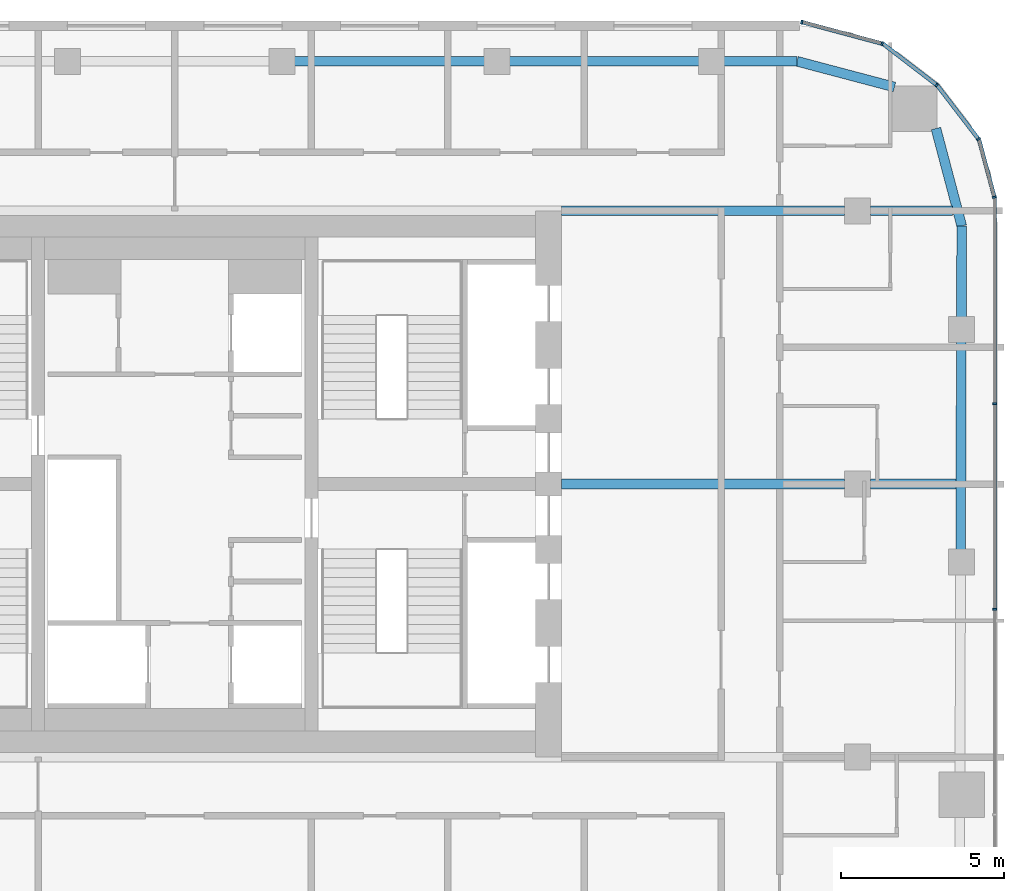
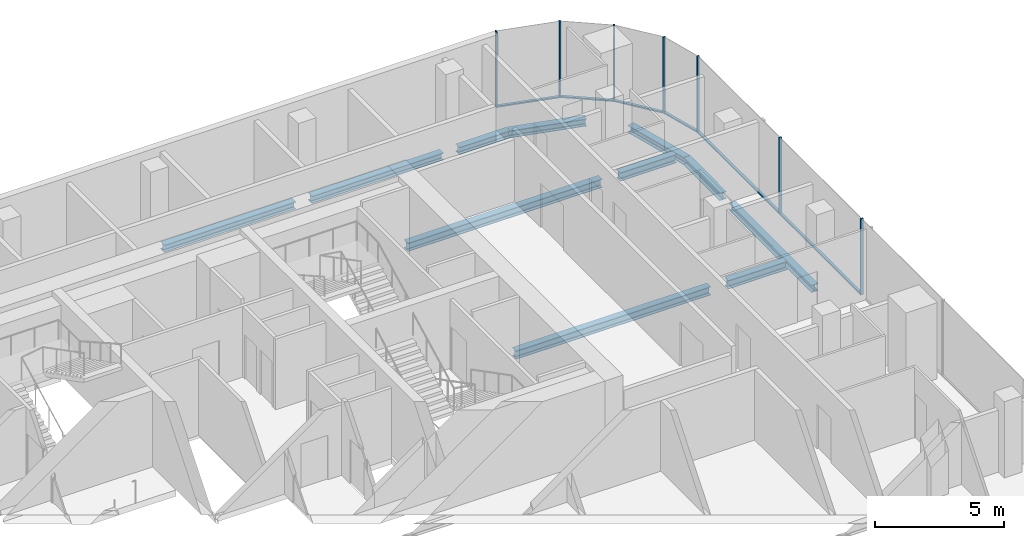
# One storey, part 11 of 22: 13 members, 11 beams, 5 elements without a shape of their own.
"""IFC4 building model written with IfcOpenShell, lengths in metres."""

import ifcopenshell
import ifcopenshell.guid

model = None  # the IFC model being written
_history = None  # IfcOwnerHistory: only IFC2X3 demands one
_inside = {}  # id of a spatial element -> (the spatial element, [elements in it])
_under = {}  # id of a project, library or spatial element -> (it, [spatial elements below it])
_declared = {}  # id of a project -> (the project, [libraries it declares])
_typed = {}  # id of a type object -> (the type object, [elements of that type])
_made_of = {}  # id of a material, layer set ... -> (it, [elements and type objects made of it])


def new_model(schema):
    """Start an empty IFC model of exactly this schema.

    Asked for "IFC4X3", IfcOpenShell would pick the latest addendum, in which some entities
    have other attributes; the version numbers below select the first issue.
    IFC2X3 requires an IfcOwnerHistory on every rooted entity: one is made here for all.
    """
    global model, _history
    if schema == "IFC4X3":
        model = ifcopenshell.file(schema_version=(4, 3, 0, 0))
    else:
        model = ifcopenshell.file(schema=schema)
    _inside.clear()
    _under.clear()
    _declared.clear()
    _typed.clear()
    _made_of.clear()
    _history = None
    if model.schema == "IFC2X3":
        org = make("IfcOrganization", Name="unknown")
        user = make(
            "IfcPersonAndOrganization",
            ThePerson=make("IfcPerson", FamilyName="unknown"),
            TheOrganization=org,
        )
        app = make(
            "IfcApplication",
            ApplicationDeveloper=org,
            Version="unknown",
            ApplicationFullName="unknown",
            ApplicationIdentifier="unknown",
        )
        _history = make(
            "IfcOwnerHistory",
            OwningUser=user,
            OwningApplication=app,
            ChangeAction="ADDED",
            CreationDate=0,
        )
    return model


def make(cls, **values):
    """One entity of the class cls with the attributes given. An attribute that is None is left unset."""
    return model.create_entity(
        cls, **{name: value for name, value in values.items() if value is not None}
    )


def rooted(cls, **values):
    """An entity with a GlobalId (a new one), such as an element, a storey or a relation."""
    return make(cls, GlobalId=ifcopenshell.guid.new(), OwnerHistory=_history, **values)


def si_unit(unit_type, name, prefix=None):
    """IfcSIUnit, for example si_unit("LENGTHUNIT", "METRE", prefix="MILLI")."""
    return make("IfcSIUnit", UnitType=unit_type, Prefix=prefix, Name=name)


def assignment(units):
    """IfcUnitAssignment: the units of a project."""
    return None if units is None else make("IfcUnitAssignment", Units=units)


def point(xyz):
    """IfcCartesianPoint."""
    return None if xyz is None else make("IfcCartesianPoint", Coordinates=xyz)


def direction(xyz):
    """IfcDirection."""
    return None if xyz is None else make("IfcDirection", DirectionRatios=xyz)


def frame(location, z_axis=None, x_axis=None):
    """IfcAxis2Placement3D, a coordinate frame: its origin and axes. An axis left out is left unset."""
    return make(
        "IfcAxis2Placement3D",
        Location=point(location),
        Axis=direction(z_axis),
        RefDirection=direction(x_axis),
    )


def frame_2d(location, x_axis=None):
    """IfcAxis2Placement2D, a coordinate frame in the plane: its origin and x axis."""
    return make(
        "IfcAxis2Placement2D", Location=point(location), RefDirection=direction(x_axis)
    )


def origin():
    """The frame at (0, 0, 0) with its axes left unset."""
    return frame((0.0, 0.0, 0.0))


def origin_2d():
    """The frame at (0, 0) in the plane with its x axis left unset."""
    return frame_2d((0.0, 0.0))


def place(relative_to, where):
    """IfcLocalPlacement: puts the frame where relative to a parent placement (None: the world)."""
    return make(
        "IfcLocalPlacement", PlacementRelTo=relative_to, RelativePlacement=where
    )


def context(
    kind, dimensions, precision=None, world=None, true_north=None, identifier=None
):
    """IfcGeometricRepresentationContext, for example the 3D "Model" context."""
    return make(
        "IfcGeometricRepresentationContext",
        ContextIdentifier=identifier,
        ContextType=kind,
        CoordinateSpaceDimension=dimensions,
        Precision=precision,
        WorldCoordinateSystem=world,
        TrueNorth=true_north,
    )


def subcontext(parent, identifier, kind, view, scale=None):
    """IfcGeometricRepresentationSubContext, for example "Body" below "Model"."""
    return make(
        "IfcGeometricRepresentationSubContext",
        ContextIdentifier=identifier,
        ContextType=kind,
        ParentContext=parent,
        TargetScale=scale,
        TargetView=view,
    )


def project(units=None, contexts=None):
    """IfcProject with its units and contexts."""
    return rooted(
        "IfcProject",
        Name="project",
        RepresentationContexts=contexts,
        UnitsInContext=assignment(units),
    )


def spatial(cls, under=None, at=None, **own):
    """A site, building, storey or space (cls), placed at a placement, below another one or the project."""
    s = rooted(cls, ObjectPlacement=at, **own)
    if under is not None:
        _under.setdefault(under.id(), (under, []))[1].append(s)
    return s


def profile(cls, at=None, kind="AREA", **sizes):
    """A parametric profile (cls). Its sizes go by their IFC names, for example OverallWidth=200.0."""
    return make(cls, ProfileType=kind, Position=at, **sizes)


def rectangle(**sizes):
    """IfcRectangleProfileDef."""
    return profile("IfcRectangleProfileDef", **sizes)


def i_section(**sizes):
    """IfcIShapeProfileDef."""
    return profile("IfcIShapeProfileDef", **sizes)


def extrude(swept, where, along, depth):
    """IfcExtrudedAreaSolid: the profile swept, set in the frame where, extruded along a direction by depth."""
    return make(
        "IfcExtrudedAreaSolid",
        SweptArea=swept,
        Position=where,
        ExtrudedDirection=direction(along),
        Depth=depth,
    )


def shape(context_of_items, identifier, shape_type, items):
    """IfcShapeRepresentation: the items that make up one representation, for example the "Body"."""
    return make(
        "IfcShapeRepresentation",
        ContextOfItems=context_of_items,
        RepresentationIdentifier=identifier,
        RepresentationType=shape_type,
        Items=items,
    )


def material(Name=None, Category=None):
    """IfcMaterial."""
    return make("IfcMaterial", Name=Name, Category=Category)


def layer(
    of_material, thickness, ventilated=None, Name=None, Category=None, Priority=None
):
    """IfcMaterialLayer: one layer of a wall or slab, of a material (None: an air gap)."""
    return make(
        "IfcMaterialLayer",
        Material=of_material,
        LayerThickness=thickness,
        IsVentilated=ventilated,
        Name=Name,
        Category=Category,
        Priority=Priority,
    )


def layer_set(layers, Name=None):
    """IfcMaterialLayerSet."""
    return make("IfcMaterialLayerSet", MaterialLayers=layers, LayerSetName=Name)


def material_profile(
    of_material, cross_section, Name=None, Category=None, Priority=None
):
    """IfcMaterialProfile: a cross section and its material."""
    return make(
        "IfcMaterialProfile",
        Name=Name,
        Material=of_material,
        Profile=cross_section,
        Priority=Priority,
        Category=Category,
    )


def profile_set(profiles, Name=None, composite=None):
    """IfcMaterialProfileSet."""
    return make(
        "IfcMaterialProfileSet",
        Name=Name,
        MaterialProfiles=profiles,
        CompositeProfile=composite,
    )


def made_of(thing, what):
    """Note that an element or type object is made of a material, layer set ...; save() writes the relation."""
    if what is not None:
        _made_of.setdefault(what.id(), (what, []))[1].append(thing)
    return thing


def type_object(cls, material=None, **own):
    """A type object (cls), such as IfcWallType, which elements share."""
    return made_of(rooted(cls, **own), material)


def element(
    cls,
    number,
    at=None,
    inside=None,
    cuts=None,
    type_object=None,
    material=None,
    context=None,
    identifier="Body",
    shape_type=None,
    held_by="IfcProductDefinitionShape",
    body=None,
    shapes=None,
    **own,
):
    """One element of the class cls, such as IfcWall. Its Tag is "e" and its number.

    at: its placement. inside: the storey or other place that contains it. cuts: it is an
    opening in that element (IfcRelVoidsElement). A single representation is given by context,
    identifier, shape_type and body (its items); several are given by shapes. held_by: the class
    of the entity that holds the representations. save() writes the other relations.
    """
    e = rooted(cls, Tag="e%d" % number, ObjectPlacement=at, **own)
    if body is not None:
        shapes = [shape(context, identifier, shape_type, body)]
    if shapes is not None:
        e.Representation = make(held_by, Representations=shapes)
    if inside is not None:
        _inside.setdefault(inside.id(), (inside, []))[1].append(e)
    if cuts is not None:
        rooted(
            "IfcRelVoidsElement", RelatingBuildingElement=cuts, RelatedOpeningElement=e
        )
    if type_object is not None:
        _typed.setdefault(type_object.id(), (type_object, []))[1].append(e)
    return made_of(e, material)


def aggregate(whole, parts):
    """IfcRelAggregates: a whole, such as a stair, and the parts it consists of."""
    return rooted("IfcRelAggregates", RelatingObject=whole, RelatedObjects=parts)


def save(model, path):
    """Write the relations noted so far, then the file.

    IfcRelAggregates (storeys below a building ...), IfcRelContainedInSpatialStructure (elements
    in a storey), IfcRelDefinesByType, IfcRelAssociatesMaterial and IfcRelDeclares: one each for
    every whole, place, type object, material and project.
    """
    for whole, parts in _under.values():
        aggregate(whole, parts)
    for where, things in _inside.values():
        rooted(
            "IfcRelContainedInSpatialStructure",
            RelatedElements=things,
            RelatingStructure=where,
        )
    for kind, things in _typed.values():
        rooted("IfcRelDefinesByType", RelatedObjects=things, RelatingType=kind)
    for what, things in _made_of.values():
        rooted("IfcRelAssociatesMaterial", RelatedObjects=things, RelatingMaterial=what)
    for by, libraries in _declared.values():
        rooted("IfcRelDeclares", RelatingContext=by, RelatedDefinitions=libraries)
    model.write(path)


model = new_model("IFC4")

# Units and contexts
model_context = context("Model", 3, precision=1e-05, world=origin(), true_north=direction((0.0, 1.0)))
body_context = subcontext(model_context, "Body", "Model", "MODEL_VIEW")
ifc_project = project(units=[si_unit("LENGTHUNIT", "METRE"), si_unit("AREAUNIT", "SQUARE_METRE"), si_unit("VOLUMEUNIT", "CUBIC_METRE"), si_unit("PLANEANGLEUNIT", "RADIAN"), si_unit("MASSUNIT", "GRAM", prefix="KILO")], contexts=[model_context])

# Site, building, storey
site_placement = place(None, origin())
site = spatial("IfcSite", under=ifc_project, at=site_placement, CompositionType="ELEMENT")
building_placement = place(site_placement, origin())
building = spatial("IfcBuilding", under=site, at=building_placement, Name="Marenta Gate Hotel Tower", CompositionType="ELEMENT")
storey_placement = place(building_placement, frame((0.0, 0.0, 238.10009765625)))
storey = spatial("IfcBuildingStorey", under=building, at=storey_placement, Name="L56", CompositionType="ELEMENT", Elevation=238.10009765625)

# Beams
ifc_material_1 = material(Name="Steel S355", Category="steel")
ifc_material_profile_1 = material_profile(ifc_material_1, i_section(OverallWidth=0.300048828125, OverallDepth=0.340087890625, WebThickness=0.011962890625, FlangeThickness=0.021484375, FilletRadius=0.027099609375, at=origin_2d()), Name="HEB 340")
ifc_profile_set_1 = profile_set([ifc_material_profile_1], Name="Steel S355")
beam_type_1 = type_object("IfcBeamType", Name="Edge beam HEB 340", PredefinedType="SPANDREL", material=ifc_profile_set_1)
for number, where, z_axis, x_axis, name in (
    (1, (3.661376953125, 21.39990234375, -0.43017578125), (1.0, 0.0, 0.0), (0.0, 1.0, 0.0), "L56-EB-17"),
    (2, (10.26416015625, 21.39990234375, -0.43017578125), (1.0, 0.0, 0.0), (0.0, 1.0, 0.0), "L56-EB-18"),
):
    element("IfcBeam", number, at=place(storey_placement, frame(where, z_axis=z_axis, x_axis=x_axis)), inside=storey, type_object=beam_type_1, Name=name, PredefinedType="SPANDREL", context=body_context, shape_type="SweptSolid", body=[
        extrude(i_section(OverallWidth=0.300048828125, OverallDepth=0.340087890625, WebThickness=0.011962890625, FlangeThickness=0.021484375, FilletRadius=0.027099609375, at=origin_2d()), origin(), (0.0, 0.0, 1.0), 5.8828125),
    ])
beam_1_placement = place(storey_placement, frame((16.866943359375, 21.39990234375, -0.43017578125), z_axis=(1.0, 0.0, 0.0), x_axis=(0.0, 1.0, 0.0)))
element("IfcBeam", 3, at=beam_1_placement, inside=storey, type_object=beam_type_1, Name="L56-EB-19", PredefinedType="SPANDREL", context=body_context, shape_type="SweptSolid", body=[
    extrude(i_section(OverallWidth=0.300048828125, OverallDepth=0.340087890625, WebThickness=0.011962890625, FlangeThickness=0.021484375, FilletRadius=0.027099609375, at=origin_2d()), origin(), (0.0, 0.0, 1.0), 2.267578125),
])
beam_2_placement = place(storey_placement, frame((19.134521484375, 21.39990234375, -0.43017578125), z_axis=(0.9667647815, -0.25566747398, 0.0), x_axis=(0.25566747398, 0.9667647815, 0.0)))
element("IfcBeam", 4, at=beam_2_placement, inside=storey, type_object=beam_type_1, Name="L56-EB-20", PredefinedType="SPANDREL", context=body_context, shape_type="SweptSolid", body=[
    extrude(i_section(OverallWidth=0.300048828125, OverallDepth=0.340087890625, WebThickness=0.011962890625, FlangeThickness=0.021484375, FilletRadius=0.027099609375, at=origin_2d()), origin(), (0.0, 0.0, 1.0), 3.1005859375),
])
beam_3_placement = place(storey_placement, frame((23.4072265625, 19.332275390625, -0.43017578125), z_axis=(0.255648013319, -0.966769927794, 0.0), x_axis=(0.966769927794, 0.255648013319, 0.0)))
element("IfcBeam", 5, at=beam_3_placement, inside=storey, type_object=beam_type_1, Name="L56-EB-21", PredefinedType="SPANDREL", context=body_context, shape_type="SweptSolid", body=[
    extrude(i_section(OverallWidth=0.300048828125, OverallDepth=0.340087890625, WebThickness=0.011962890625, FlangeThickness=0.021484375, FilletRadius=0.027099609375, at=origin_2d()), origin(), (0.0, 0.0, 1.0), 3.100830078125),
])
beam_4_placement = place(storey_placement, frame((24.199951171875, 16.33447265625, -0.43017578125), z_axis=(-0.003292020626, -0.999994581285, 0.0), x_axis=(0.999994581285, -0.003292020626, 0.0)))
element("IfcBeam", 6, at=beam_4_placement, inside=storey, type_object=beam_type_1, Name="L56-EB-22", PredefinedType="SPANDREL", context=body_context, shape_type="SweptSolid", body=[
    extrude(i_section(OverallWidth=0.300048828125, OverallDepth=0.340087890625, WebThickness=0.011962890625, FlangeThickness=0.021484375, FilletRadius=0.027099609375, at=origin_2d()), origin(), (0.0, 0.0, 1.0), 2.818115234375),
])
beam_5_placement = place(storey_placement, frame((24.188232421875, 12.79638671875, -0.43017578125), z_axis=(-0.00333963982, -0.999994423387, 0.0), x_axis=(0.999994423387, -0.00333963982, 0.0)))
element("IfcBeam", 7, at=beam_5_placement, inside=storey, type_object=beam_type_1, Name="L56-EB-23", PredefinedType="SPANDREL", context=body_context, shape_type="SweptSolid", body=[
    extrude(i_section(OverallWidth=0.300048828125, OverallDepth=0.340087890625, WebThickness=0.011962890625, FlangeThickness=0.021484375, FilletRadius=0.027099609375, at=origin_2d()), origin(), (0.0, 0.0, 1.0), 6.43310546875),
])
ifc_material_2 = material(Name="Steel S355", Category="steel")
ifc_material_profile_2 = material_profile(ifc_material_2, i_section(OverallWidth=0.300048828125, OverallDepth=0.39990234375, WebThickness=0.013427734375, FlangeThickness=0.02392578125, FilletRadius=0.027099609375, at=origin_2d()), Name="HEB 400")
ifc_profile_set_2 = profile_set([ifc_material_profile_2], Name="Steel S355")
beam_type_2 = type_object("IfcBeamType", Name="Girder HEB 400", PredefinedType="BEAM", material=ifc_profile_set_2)
beam_6_placement = place(storey_placement, frame((11.89990234375, 8.39990234375, -0.460205078125), z_axis=(1.0, 0.0, 0.0), x_axis=(0.0, 1.0, 0.0)))
element("IfcBeam", 8, at=beam_6_placement, inside=storey, type_object=beam_type_2, Name="L56-GD-27", PredefinedType="BEAM", context=body_context, shape_type="SweptSolid", body=[
    extrude(i_section(OverallWidth=0.300048828125, OverallDepth=0.39990234375, WebThickness=0.013427734375, FlangeThickness=0.02392578125, FilletRadius=0.027099609375, at=origin_2d()), origin(), (0.0, 0.0, 1.0), 8.7001953125),
])
beam_7_placement = place(storey_placement, frame((21.39990234375, 8.39990234375, -0.460205078125), z_axis=(1.0, 0.0, 0.0), x_axis=(0.0, 1.0, 0.0)))
element("IfcBeam", 9, at=beam_7_placement, inside=storey, type_object=beam_type_2, Name="L56-GD-28", PredefinedType="BEAM", context=body_context, shape_type="SweptSolid", body=[
    extrude(i_section(OverallWidth=0.300048828125, OverallDepth=0.39990234375, WebThickness=0.013427734375, FlangeThickness=0.02392578125, FilletRadius=0.027099609375, at=origin_2d()), origin(), (0.0, 0.0, 1.0), 2.623779296875),
])
beam_8_placement = place(storey_placement, frame((11.89990234375, 16.800048828125, -0.460205078125), z_axis=(1.0, 0.0, 0.0), x_axis=(0.0, 1.0, 0.0)))
element("IfcBeam", 10, at=beam_8_placement, inside=storey, type_object=beam_type_2, Name="L56-GD-32", PredefinedType="BEAM", context=body_context, shape_type="SweptSolid", body=[
    extrude(i_section(OverallWidth=0.300048828125, OverallDepth=0.39990234375, WebThickness=0.013427734375, FlangeThickness=0.02392578125, FilletRadius=0.027099609375, at=origin_2d()), origin(), (0.0, 0.0, 1.0), 8.7001953125),
])
beam_9_placement = place(storey_placement, frame((21.39990234375, 16.800048828125, -0.460205078125), z_axis=(1.0, 0.0, 0.0), x_axis=(0.0, 1.0, 0.0)))
element("IfcBeam", 11, at=beam_9_placement, inside=storey, type_object=beam_type_2, Name="L56-GD-33", PredefinedType="BEAM", context=body_context, shape_type="SweptSolid", body=[
    extrude(i_section(OverallWidth=0.300048828125, OverallDepth=0.39990234375, WebThickness=0.013427734375, FlangeThickness=0.02392578125, FilletRadius=0.027099609375, at=origin_2d()), origin(), (0.0, 0.0, 1.0), 2.521728515625),
])

# Curtain wall, members
ifc_material_3 = material(Name="Tinted insulated glass in bronze anodised frame", Category="glass")
ifc_layer = layer(ifc_material_3, 0.1201171875)
ifc_layer_set = layer_set([ifc_layer], Name="Tinted insulated glass in bronze anodised frame")
curtain_wall_type = type_object("IfcCurtainWallType", Name="Tower unitised curtain wall CW1", PredefinedType="NOTDEFINED", material=ifc_layer_set)
curtain_wall_1_placement = place(storey_placement, origin())
curtain_wall_1 = element("IfcCurtainWall", 12, at=curtain_wall_1_placement, inside=storey, type_object=curtain_wall_type, Name="CW1 run G11", PredefinedType="NOTDEFINED")
ifc_material_4 = material(Name="Bronze anodised aluminium", Category="aluminium")
ifc_material_profile_3 = material_profile(ifc_material_4, rectangle(XDim=0.1201171875, YDim=0.06005859375, at=origin_2d()), Name="Mullion CW1 60x120 bronze anodised aluminium")
ifc_profile_set_3 = profile_set([ifc_material_profile_3], Name="Bronze anodised aluminium")
member_type_1 = type_object("IfcMemberType", Name="Mullion CW1 60x120 bronze anodised aluminium", PredefinedType="MULLION", material=ifc_profile_set_3)
member_1_placement = place(storey_placement, frame((25.214111328125, 4.546630859375, 0.0), z_axis=(0.0, 0.0, 1.0), x_axis=(-1.0, 0.0, 0.0)))
member_1 = element("IfcMember", 13, at=member_1_placement, type_object=member_type_1, Name="CW1 mullion 5", PredefinedType="MULLION", context=body_context, shape_type="SweptSolid", body=[
    extrude(rectangle(XDim=0.1201171875, YDim=0.06005859375, at=origin_2d()), origin(), (0.0, 0.0, 1.0), 3.599853515625),
])
member_2_placement = place(storey_placement, frame((25.214111328125, 10.869384765625, 0.0), z_axis=(0.0, 0.0, 1.0), x_axis=(-1.0, 0.0, 0.0)))
member_2 = element("IfcMember", 14, at=member_2_placement, type_object=member_type_1, Name="CW1 mullion 6", PredefinedType="MULLION", context=body_context, shape_type="SweptSolid", body=[
    extrude(rectangle(XDim=0.1201171875, YDim=0.06005859375, at=origin_2d()), origin(), (0.0, 0.0, 1.0), 3.599853515625),
])

# Curtain wall, member
curtain_wall_2_placement = place(storey_placement, origin())
curtain_wall_2 = element("IfcCurtainWall", 15, at=curtain_wall_2_placement, inside=storey, type_object=curtain_wall_type, Name="CW1 run G12", PredefinedType="NOTDEFINED")
member_3_placement = place(storey_placement, frame((25.206298828125, 17.220947265625, 0.0), z_axis=(0.0, 0.0, 1.0), x_axis=(-0.965924453932, -0.258824166754, 0.0)))
member_3 = element("IfcMember", 16, at=member_3_placement, type_object=member_type_1, Name="CW1 mullion 1", PredefinedType="MULLION", context=body_context, shape_type="SweptSolid", body=[
    extrude(rectangle(XDim=0.1201171875, YDim=0.06005859375, at=origin_2d()), origin(), (0.0, 0.0, 1.0), 3.599853515625),
])

curtain_wall_3_placement = place(storey_placement, origin())
curtain_wall_3 = element("IfcCurtainWall", 17, at=curtain_wall_3_placement, inside=storey, type_object=curtain_wall_type, Name="CW1 run G13", PredefinedType="NOTDEFINED")
member_4_placement = place(storey_placement, frame((24.7158203125, 19.00634765625, 0.0), z_axis=(0.0, 0.0, 1.0), x_axis=(-0.793333335233, -0.608787499222, 0.0)))
member_4 = element("IfcMember", 18, at=member_4_placement, type_object=member_type_1, Name="CW1 mullion 1", PredefinedType="MULLION", context=body_context, shape_type="SweptSolid", body=[
    extrude(rectangle(XDim=0.1201171875, YDim=0.06005859375, at=origin_2d()), origin(), (0.0, 0.0, 1.0), 3.599853515625),
])

curtain_wall_4_placement = place(storey_placement, origin())
curtain_wall_4 = element("IfcCurtainWall", 19, at=curtain_wall_4_placement, inside=storey, type_object=curtain_wall_type, Name="CW1 run G14", PredefinedType="NOTDEFINED")
member_5_placement = place(storey_placement, frame((23.4287109375, 20.6708984375, 0.0), z_axis=(0.0, 0.0, 1.0), x_axis=(-0.608787499222, -0.793333335233, 0.0)))
member_5 = element("IfcMember", 20, at=member_5_placement, type_object=member_type_1, Name="CW1 mullion 1", PredefinedType="MULLION", context=body_context, shape_type="SweptSolid", body=[
    extrude(rectangle(XDim=0.1201171875, YDim=0.06005859375, at=origin_2d()), origin(), (0.0, 0.0, 1.0), 3.599853515625),
])

# Curtain wall, members
curtain_wall_5_placement = place(storey_placement, origin())
curtain_wall_5 = element("IfcCurtainWall", 21, at=curtain_wall_5_placement, inside=storey, type_object=curtain_wall_type, Name="CW1 run G15", PredefinedType="NOTDEFINED")
member_6_placement = place(storey_placement, frame((21.75341796875, 21.94189453125, 0.0), z_axis=(0.0, 0.0, 1.0), x_axis=(-0.258804895175, -0.96592961764, 0.0)))
member_6 = element("IfcMember", 22, at=member_6_placement, type_object=member_type_1, Name="CW1 mullion 1", PredefinedType="MULLION", context=body_context, shape_type="SweptSolid", body=[
    extrude(rectangle(XDim=0.1201171875, YDim=0.06005859375, at=origin_2d()), origin(), (0.0, 0.0, 1.0), 3.599853515625),
])
member_7_placement = place(storey_placement, frame((19.285400390625, 22.603271484375, 0.0), z_axis=(0.0, 0.0, 1.0), x_axis=(-0.258804895175, -0.96592961764, 0.0)))
member_7 = element("IfcMember", 23, at=member_7_placement, type_object=member_type_1, Name="CW1 mullion 2", PredefinedType="MULLION", context=body_context, shape_type="SweptSolid", body=[
    extrude(rectangle(XDim=0.1201171875, YDim=0.06005859375, at=origin_2d()), origin(), (0.0, 0.0, 1.0), 3.599853515625),
])

# Member
ifc_material_5 = material(Name="Bronze anodised aluminium", Category="aluminium")
ifc_material_profile_4 = material_profile(ifc_material_5, rectangle(XDim=0.1201171875, YDim=0.06005859375, at=origin_2d()), Name="Transom CW1 60x120 bronze anodised aluminium")
ifc_profile_set_4 = profile_set([ifc_material_profile_4], Name="Bronze anodised aluminium")
member_type_2 = type_object("IfcMemberType", Name="Transom CW1 60x120 bronze anodised aluminium", PredefinedType="USERDEFINED", material=ifc_profile_set_4)
member_8_placement = place(storey_placement, frame((25.214111328125, 4.57666015625, 0.02978515625), z_axis=(0.0, 1.0, 0.0), x_axis=(-1.0, 0.0, 0.0)))
member_8 = element("IfcMember", 24, at=member_8_placement, type_object=member_type_2, Name="CW1 transom 5.1", ObjectType="TRANSOM", PredefinedType="USERDEFINED", context=body_context, shape_type="SweptSolid", body=[
    extrude(rectangle(XDim=0.1201171875, YDim=0.06005859375, at=origin_2d()), origin(), (0.0, 0.0, 1.0), 6.2626953125),
])

member_9_placement = place(storey_placement, frame((25.214111328125, 10.899169921875, 0.02978515625), z_axis=(0.0, 1.0, 0.0), x_axis=(-1.0, 0.0, 0.0)))
member_9 = element("IfcMember", 25, at=member_9_placement, type_object=member_type_2, Name="CW1 transom 6.1", ObjectType="TRANSOM", PredefinedType="USERDEFINED", context=body_context, shape_type="SweptSolid", body=[
    extrude(rectangle(XDim=0.1201171875, YDim=0.06005859375, at=origin_2d()), origin(), (0.0, 0.0, 1.0), 6.292724609375),
])

aggregate(curtain_wall_1, [member_1, member_2, member_8, member_9])

member_10_placement = place(storey_placement, frame((25.198486328125, 17.249755859375, 0.02978515625), z_axis=(-0.258865341007, 0.96591342015, 0.0), x_axis=(-0.96591342015, -0.258865341007, 0.0)))
member_10 = element("IfcMember", 26, at=member_10_placement, type_object=member_type_2, Name="CW1 transom 1.1", ObjectType="TRANSOM", PredefinedType="USERDEFINED", context=body_context, shape_type="SweptSolid", body=[
    extrude(rectangle(XDim=0.1201171875, YDim=0.06005859375, at=origin_2d()), origin(), (0.0, 0.0, 1.0), 1.793701171875),
])

aggregate(curtain_wall_2, [member_3, member_10])

member_11_placement = place(storey_placement, frame((24.69775390625, 19.030029296875, 0.02978515625), z_axis=(-0.608787337271, 0.79333345951, 0.0), x_axis=(-0.79333345951, -0.608787337271, 0.0)))
member_11 = element("IfcMember", 27, at=member_11_placement, type_object=member_type_2, Name="CW1 transom 1.1", ObjectType="TRANSOM", PredefinedType="USERDEFINED", context=body_context, shape_type="SweptSolid", body=[
    extrude(rectangle(XDim=0.1201171875, YDim=0.06005859375, at=origin_2d()), origin(), (0.0, 0.0, 1.0), 2.045166015625),
])

aggregate(curtain_wall_3, [member_4, member_11])

member_12_placement = place(storey_placement, frame((23.405029296875, 20.689208984375, 0.02978515625), z_axis=(-0.793391112466, 0.60871220019, 0.0), x_axis=(-0.60871220019, -0.793391112466, 0.0)))
member_12 = element("IfcMember", 28, at=member_12_placement, type_object=member_type_2, Name="CW1 transom 1.1", ObjectType="TRANSOM", PredefinedType="USERDEFINED", context=body_context, shape_type="SweptSolid", body=[
    extrude(rectangle(XDim=0.1201171875, YDim=0.06005859375, at=origin_2d()), origin(), (0.0, 0.0, 1.0), 2.045166015625),
])

aggregate(curtain_wall_4, [member_5, member_12])

member_13_placement = place(storey_placement, frame((21.724609375, 21.94970703125, 0.02978515625), z_axis=(-0.965930582093, 0.258801295547, 0.0), x_axis=(-0.258801295547, -0.965930582093, 0.0)))
member_13 = element("IfcMember", 29, at=member_13_placement, type_object=member_type_2, Name="CW1 transom 1.1", ObjectType="TRANSOM", PredefinedType="USERDEFINED", context=body_context, shape_type="SweptSolid", body=[
    extrude(rectangle(XDim=0.1201171875, YDim=0.06005859375, at=origin_2d()), origin(), (0.0, 0.0, 1.0), 2.4951171875),
])

aggregate(curtain_wall_5, [member_6, member_7, member_13])

save(model, "model.ifc")
